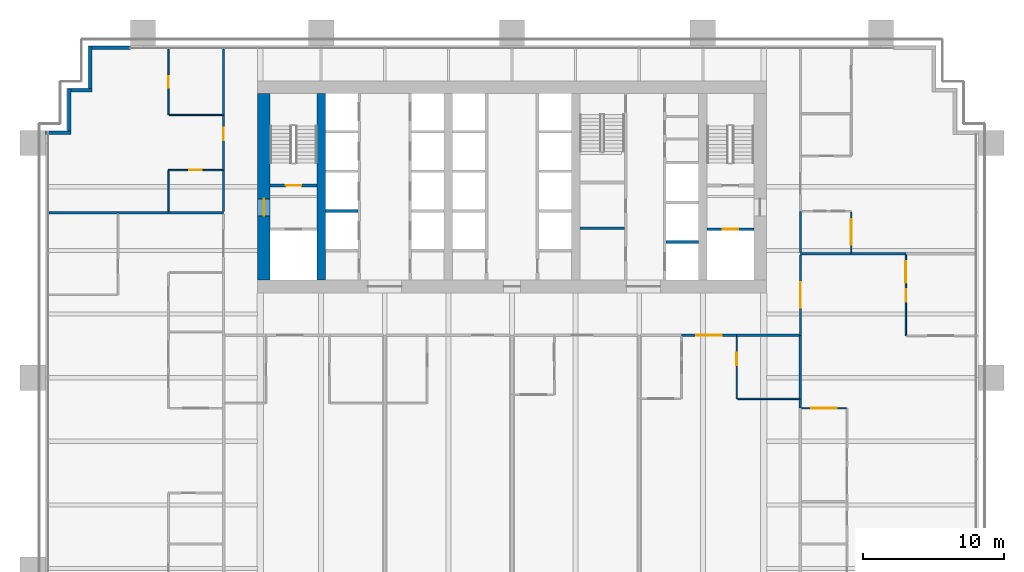
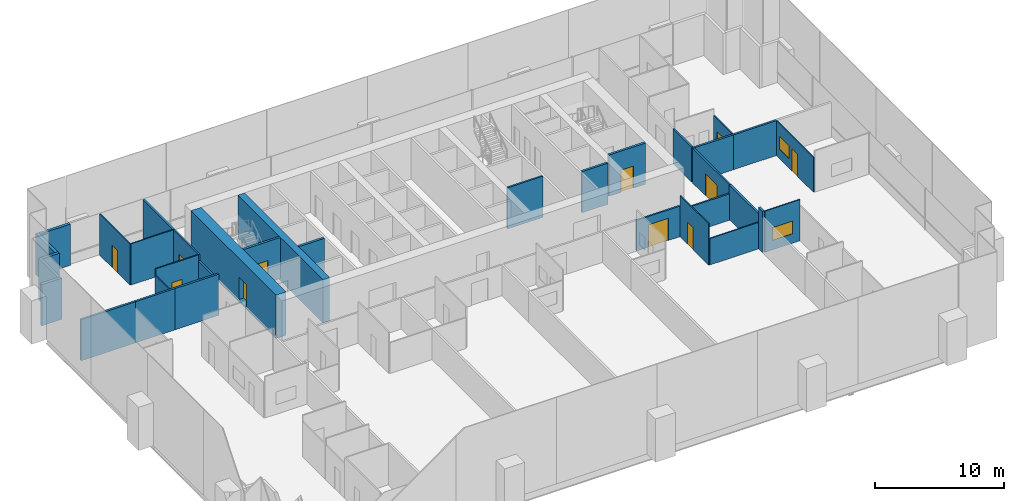
# One storey, part 13 of 18: 35 walls, 10 doors, 3 windows, 13 openings.
"""IFC4 building model written with IfcOpenShell, lengths in metres."""

from ifc_helpers import new_model, si_unit, direction, frame, frame_2d, origin, place, context, subcontext, project, spatial, rectangle, extrude, material, layer, layer_set, type_object, element, fill, save


model = new_model("IFC4")

# Units and contexts
model_context = context("Model", 3, precision=1e-05, world=origin(), true_north=direction((0.0, 1.0)))
body_context = subcontext(model_context, "Body", "Model", "MODEL_VIEW")
ifc_project = project(units=[si_unit("LENGTHUNIT", "METRE"), si_unit("AREAUNIT", "SQUARE_METRE"), si_unit("VOLUMEUNIT", "CUBIC_METRE"), si_unit("PLANEANGLEUNIT", "RADIAN"), si_unit("MASSUNIT", "GRAM", prefix="KILO")], contexts=[model_context])

# Site, building, storey
site_placement = place(None, origin())
site = spatial("IfcSite", under=ifc_project, at=site_placement, CompositionType="ELEMENT")
building_placement = place(site_placement, origin())
building = spatial("IfcBuilding", under=site, at=building_placement, Name="Rattan Terrace Tower", CompositionType="ELEMENT")
storey_placement = place(building_placement, frame((0.0, 0.0, 32.39990234375)))
storey = spatial("IfcBuildingStorey", under=building, at=storey_placement, Name="L06", CompositionType="ELEMENT", Elevation=32.39990234375)

# Wall
ifc_material_1 = material(Name="Gypsum board partition")
ifc_layer_1 = layer(ifc_material_1, 0.14990234375)
ifc_layer_set_1 = layer_set([ifc_layer_1], Name="Core partition 150")
wall_type_1 = type_object("IfcWallType", Name="Core partition 150", PredefinedType="PARTITIONING", material=ifc_layer_set_1)
wall_1_placement = place(storey_placement, frame((4.800048828125, -2.927978515625, 0.0), z_axis=(0.0, 0.0, 1.0), x_axis=(1.0, 0.0, 0.0)))
element("IfcWall", 1, at=wall_1_placement, inside=storey, type_object=wall_type_1, Name="Toilet wall", PredefinedType="PARTITIONING", context=body_context, shape_type="SweptSolid", body=[
    extrude(rectangle(XDim=3.14990234375, YDim=0.14990234375, at=frame_2d((1.574951171875, 0.0))), origin(), (0.0, 0.0, 1.0), 3.900146484375),
])

# Wall, opening, door
ifc_material_2 = material(Name="Gypsum board partition")
ifc_layer_2 = layer(ifc_material_2, 0.199951171875)
ifc_layer_set_2 = layer_set([ifc_layer_2], Name="Core partition 200")
wall_type_2 = type_object("IfcWallType", Name="Core partition 200", PredefinedType="PARTITIONING", material=ifc_layer_set_2)
wall_2_placement = place(storey_placement, frame((-17.10009765625, 0.10009765625, 0.0), z_axis=(0.0, 0.0, 1.0), x_axis=(1.0, 0.0, 0.0)))
wall_2 = element("IfcWall", 2, at=wall_2_placement, inside=storey, type_object=wall_type_2, Name="Stair enclosure wall", PredefinedType="PARTITIONING", context=body_context, shape_type="SweptSolid", body=[
    extrude(rectangle(XDim=3.300048828125, YDim=0.199951171875, at=frame_2d((1.64990234375, 0.0))), origin(), (0.0, 0.0, 1.0), 3.900146484375),
])
opening_1_placement = place(wall_2_placement, frame((1.10009765625, 0.0, 0.0)))
opening_1 = element("IfcOpeningElement", 3, at=opening_1_placement, cuts=wall_2, Name="Opening L06-D002", PredefinedType="OPENING", context=body_context, shape_type="SweptSolid", body=[
    extrude(rectangle(XDim=1.10009765625, YDim=2.10009765625, at=frame_2d((0.550048828125, 1.050048828125))), frame((0.0, 0.110595703125, 0.0), z_axis=(0.0, -1.0, 0.0), x_axis=(1.0, 0.0, 0.0)), (0.0, 0.0, 1.0), 0.220947265625),
])
ifc_material_3 = material(Name="Hollow-metal fire door leaf")
door_type_1 = type_object("IfcDoorType", Name="Core stair door 1100", OperationType="NOTDEFINED", PredefinedType="DOOR", material=ifc_material_3)
door_1_placement = place(opening_1_placement, origin())
door_1 = element("IfcDoor", 4, at=door_1_placement, inside=storey, type_object=door_type_1, Name="Door L06-D002", OperationType="SINGLE_SWING_LEFT", OverallHeight=2.10009765625, OverallWidth=1.10009765625, PredefinedType="DOOR", context=body_context, shape_type="SweptSolid", body=[
    extrude(rectangle(XDim=1.10009765625, YDim=2.10009765625, at=frame_2d((0.550048828125, 1.050048828125))), frame((0.0, 0.02490234375, 0.0), z_axis=(0.0, -1.0, 0.0), x_axis=(1.0, 0.0, 0.0)), (0.0, 0.0, 1.0), 0.050048828125),
])
fill(opening_1, door_1)

wall_3_placement = place(storey_placement, frame((13.800048828125, -3.0, 0.0), z_axis=(0.0, 0.0, 1.0), x_axis=(1.0, 0.0, 0.0)))
wall_3 = element("IfcWall", 5, at=wall_3_placement, inside=storey, type_object=wall_type_2, Name="Fire-fighting lobby wall", PredefinedType="PARTITIONING", context=body_context, shape_type="SweptSolid", body=[
    extrude(rectangle(XDim=3.300048828125, YDim=0.199951171875, at=frame_2d((1.64990234375, 0.0))), origin(), (0.0, 0.0, 1.0), 3.900146484375),
])
opening_2_placement = place(wall_3_placement, frame((1.10009765625, 0.0, 0.0)))
opening_2 = element("IfcOpeningElement", 6, at=opening_2_placement, cuts=wall_3, Name="Opening L06-LD-FF2", PredefinedType="OPENING", context=body_context, shape_type="SweptSolid", body=[
    extrude(rectangle(XDim=1.10009765625, YDim=2.10009765625, at=frame_2d((0.550048828125, 1.050048828125))), frame((0.0, 0.110595703125, 0.0), z_axis=(0.0, -1.0, 0.0), x_axis=(1.0, 0.0, 0.0)), (0.0, 0.0, 1.0), 0.220947265625),
])
ifc_material_4 = material(Name="Brushed stainless landing door panel")
door_type_2 = type_object("IfcDoorType", Name="Core lift landing door 1100", OperationType="DOUBLE_DOOR_SLIDING", PredefinedType="DOOR", material=ifc_material_4)
door_2_placement = place(opening_2_placement, origin())
door_2 = element("IfcDoor", 7, at=door_2_placement, inside=storey, type_object=door_type_2, Name="Door L06-LD-FF2", OperationType="DOUBLE_DOOR_SLIDING", OverallHeight=2.10009765625, OverallWidth=1.10009765625, PredefinedType="DOOR", context=body_context, shape_type="SweptSolid", body=[
    extrude(rectangle(XDim=1.10009765625, YDim=2.10009765625, at=frame_2d((0.550048828125, 1.050048828125))), frame((0.0, 0.02490234375, 0.0), z_axis=(0.0, -1.0, 0.0), x_axis=(1.0, 0.0, 0.0)), (0.0, 0.0, 1.0), 0.050048828125),
])
fill(opening_2, door_2)

ifc_material_5 = material(Name="Concrete C70/85", Category="concrete")
ifc_layer_3 = layer(ifc_material_5, 0.89990234375)
ifc_layer_set_3 = layer_set([ifc_layer_3], Name="Core ring wall 900 C70/85")
wall_type_3 = type_object("IfcWallType", Name="Core ring wall 900 C70/85", PredefinedType="SHEAR", material=ifc_layer_set_3)
wall_4_placement = place(storey_placement, frame((-17.550048828125, -6.60009765625, -0.199951171875), z_axis=(0.0, 0.0, 1.0), x_axis=(0.0, 1.0, 0.0)))
wall_4 = element("IfcWall", 8, at=wall_4_placement, inside=storey, type_object=wall_type_3, Name="Rear core wall west", PredefinedType="SHEAR", context=body_context, shape_type="SweptSolid", body=[
    extrude(rectangle(XDim=13.2001953125, YDim=0.89990234375, at=frame_2d((6.60009765625, 0.0))), origin(), (0.0, 0.0, 1.0), 4.10009765625),
])
opening_3_placement = place(wall_4_placement, frame((4.550048828125, 0.0, 0.199951171875)))
opening_3 = element("IfcOpeningElement", 9, at=opening_3_placement, cuts=wall_4, Name="Opening L06-D001", PredefinedType="OPENING", context=body_context, shape_type="SweptSolid", body=[
    extrude(rectangle(XDim=1.199951171875, YDim=2.10009765625, at=frame_2d((0.60009765625, 1.050048828125))), frame((0.0, 0.46044921875, 0.0), z_axis=(0.0, -1.0, 0.0), x_axis=(1.0, 0.0, 0.0)), (0.0, 0.0, 1.0), 0.9208984375),
])
ifc_material_6 = material(Name="Hollow-metal fire door leaf")
door_type_3 = type_object("IfcDoorType", Name="Core fire-fighting lobby door 1200", OperationType="NOTDEFINED", PredefinedType="DOOR", material=ifc_material_6)
door_3_placement = place(opening_3_placement, origin())
door_3 = element("IfcDoor", 10, at=door_3_placement, inside=storey, type_object=door_type_3, Name="Door L06-D001", OperationType="SINGLE_SWING_RIGHT", OverallHeight=2.10009765625, OverallWidth=1.199951171875, PredefinedType="DOOR", context=body_context, shape_type="SweptSolid", body=[
    extrude(rectangle(XDim=1.199951171875, YDim=2.10009765625, at=frame_2d((0.60009765625, 1.050048828125))), frame((0.0, 0.02490234375, 0.0), z_axis=(0.0, -1.0, 0.0), x_axis=(1.0, 0.0, 0.0)), (0.0, 0.0, 1.0), 0.050048828125),
])
fill(opening_3, door_3)

# Walls
ifc_material_7 = material(Name="Concrete C70/85", Category="concrete")
ifc_layer_4 = layer(ifc_material_7, 0.60009765625)
ifc_layer_set_4 = layer_set([ifc_layer_4], Name="Core spine wall 600 C70/85")
wall_type_4 = type_object("IfcWallType", Name="Core spine wall 600 C70/85", PredefinedType="SHEAR", material=ifc_layer_set_4)
wall_5_placement = place(storey_placement, frame((-13.5, -6.60009765625, -0.199951171875), z_axis=(0.0, 0.0, 1.0), x_axis=(0.0, 1.0, 0.0)))
element("IfcWall", 11, at=wall_5_placement, inside=storey, type_object=wall_type_4, Name="Core spine wall 1", PredefinedType="SHEAR", context=body_context, shape_type="SweptSolid", body=[
    extrude(rectangle(XDim=13.2001953125, YDim=0.60009765625, at=frame_2d((6.60009765625, 0.0))), origin(), (0.0, 0.0, 1.0), 4.10009765625),
])
ifc_material_8 = material(Name="Insulated aluminium-clad stud wall", Category="aluminium")
ifc_layer_5 = layer(ifc_material_8, 0.25)
ifc_layer_set_5 = layer_set([ifc_layer_5], Name="Facade Riser Wall 250")
wall_type_5 = type_object("IfcWallType", Name="Facade Riser Wall 250", PredefinedType="SOLIDWALL", material=ifc_layer_set_5)
wall_6_placement = place(storey_placement, frame((-27.0, 9.830078125, 0.0), z_axis=(0.0, 0.0, 1.0), x_axis=(-1.0, 0.0, 0.0)))
element("IfcWall", 12, at=wall_6_placement, inside=storey, type_object=wall_type_5, Name="Riser wall L06-11", PredefinedType="SOLIDWALL", context=body_context, shape_type="SweptSolid", body=[
    extrude(rectangle(XDim=2.705078125, YDim=0.25, at=frame_2d((1.3525390625, 0.0))), origin(), (0.0, 0.0, 1.0), 3.900146484375),
])
wall_7_placement = place(storey_placement, frame((-29.830078125, 9.955078125, 0.0), z_axis=(0.0, 0.0, 1.0), x_axis=(0.0, -1.0, 0.0)))
element("IfcWall", 13, at=wall_7_placement, inside=storey, type_object=wall_type_5, Name="Riser wall L06-12", PredefinedType="SOLIDWALL", context=body_context, shape_type="SweptSolid", body=[
    extrude(rectangle(XDim=3.0, YDim=0.25, at=frame_2d((1.5, 0.0))), origin(), (0.0, 0.0, 1.0), 3.900146484375),
])
wall_8_placement = place(storey_placement, frame((-29.705078125, 6.830078125, 0.0), z_axis=(0.0, 0.0, 1.0), x_axis=(-1.0, 0.0, 0.0)))
element("IfcWall", 14, at=wall_8_placement, inside=storey, type_object=wall_type_5, Name="Riser wall L06-13", PredefinedType="SOLIDWALL", context=body_context, shape_type="SweptSolid", body=[
    extrude(rectangle(XDim=1.5, YDim=0.25, at=frame_2d((0.75, 0.0))), origin(), (0.0, 0.0, 1.0), 3.900146484375),
])
wall_9_placement = place(storey_placement, frame((-31.330078125, 6.955078125, 0.0), z_axis=(0.0, 0.0, 1.0), x_axis=(0.0, -1.0, 0.0)))
element("IfcWall", 15, at=wall_9_placement, inside=storey, type_object=wall_type_5, Name="Riser wall L06-14", PredefinedType="SOLIDWALL", context=body_context, shape_type="SweptSolid", body=[
    extrude(rectangle(XDim=3.0, YDim=0.25, at=frame_2d((1.5, 0.0))), origin(), (0.0, 0.0, 1.0), 3.900146484375),
])
wall_10_placement = place(storey_placement, frame((-31.205078125, 3.830078125, 0.0), z_axis=(0.0, 0.0, 1.0), x_axis=(-1.0, 0.0, 0.0)))
element("IfcWall", 16, at=wall_10_placement, inside=storey, type_object=wall_type_5, Name="Riser wall L06-15", PredefinedType="SOLIDWALL", context=body_context, shape_type="SweptSolid", body=[
    extrude(rectangle(XDim=1.7998046875, YDim=0.25, at=frame_2d((0.89990234375, 0.0))), origin(), (0.0, 0.0, 1.0), 3.900146484375),
])
ifc_material_9 = material(Name="Double steel stud acoustic partition, gypsum board, mineral wool, fire rated", Category="steel")
ifc_layer_6 = layer(ifc_material_9, 0.179931640625)
ifc_layer_set_6 = layer_set([ifc_layer_6], Name="Floors Acoustic Party Wall 180")
wall_type_6 = type_object("IfcWallType", Name="Floors Acoustic Party Wall 180", PredefinedType="PARTITIONING", material=ifc_layer_set_6)
wall_11_placement = place(storey_placement, frame((-27.860107421875, -1.818115234375, 0.0), z_axis=(0.0, 0.0, 1.0), x_axis=(1.0, 0.0, 0.0)))
element("IfcWall", 17, at=wall_11_placement, inside=storey, type_object=wall_type_6, Name="pt-L06-032", PredefinedType="PARTITIONING", context=body_context, shape_type="SweptSolid", body=[
    extrude(rectangle(XDim=3.5400390625, YDim=0.179931640625, at=frame_2d((1.77001953125, 0.0))), origin(), (0.0, 0.0, 1.0), 3.900146484375),
])
wall_12_placement = place(storey_placement, frame((-24.320068359375, -1.818115234375, 0.0), z_axis=(0.0, 0.0, 1.0), x_axis=(1.0, 0.0, 0.0)))
element("IfcWall", 18, at=wall_12_placement, inside=storey, type_object=wall_type_6, Name="pt-L06-033", PredefinedType="PARTITIONING", context=body_context, shape_type="SweptSolid", body=[
    extrude(rectangle(XDim=3.920166015625, YDim=0.179931640625, at=frame_2d((1.9599609375, 0.0))), origin(), (0.0, 0.0, 1.0), 3.900146484375),
])
wall_13_placement = place(storey_placement, frame((-32.739990234375, -1.818115234375, 0.0), z_axis=(0.0, 0.0, 1.0), x_axis=(1.0, 0.0, 0.0)))
element("IfcWall", 19, at=wall_13_placement, inside=storey, type_object=wall_type_6, Name="pt-L06-035", PredefinedType="PARTITIONING", context=body_context, shape_type="SweptSolid", body=[
    extrude(rectangle(XDim=4.8798828125, YDim=0.179931640625, at=frame_2d((2.43994140625, 0.0))), origin(), (0.0, 0.0, 1.0), 3.900146484375),
])
wall_14_placement = place(storey_placement, frame((20.39990234375, -15.0, 0.0), z_axis=(0.0, 0.0, 1.0), x_axis=(0.0, -1.0, 0.0)))
element("IfcWall", 20, at=wall_14_placement, inside=storey, type_object=wall_type_6, Name="pt-L06-066", PredefinedType="PARTITIONING", context=body_context, shape_type="SweptSolid", body=[
    extrude(rectangle(XDim=0.639892578125, YDim=0.179931640625, at=frame_2d((0.31982421875, 0.0))), origin(), (0.0, 0.0, 1.0), 3.900146484375),
])
wall_15_placement = place(storey_placement, frame((20.39990234375, -10.5, 0.0), z_axis=(0.0, 0.0, 1.0), x_axis=(0.0, -1.0, 0.0)))
element("IfcWall", 21, at=wall_15_placement, inside=storey, type_object=wall_type_6, Name="pt-L06-071", PredefinedType="PARTITIONING", context=body_context, shape_type="SweptSolid", body=[
    extrude(rectangle(XDim=4.5, YDim=0.179931640625, at=frame_2d((2.25, 0.0))), origin(), (0.0, 0.0, 1.0), 3.300048828125),
])
wall_16_placement = place(storey_placement, frame((23.97998046875, -4.72705078125, 0.0), z_axis=(0.0, 0.0, 1.0), x_axis=(1.0, 0.0, 0.0)))
element("IfcWall", 22, at=wall_16_placement, inside=storey, type_object=wall_type_6, Name="pt-L06-079", PredefinedType="PARTITIONING", context=body_context, shape_type="SweptSolid", body=[
    extrude(rectangle(XDim=3.880126953125, YDim=0.179931640625, at=frame_2d((1.93994140625, 0.0))), origin(), (0.0, 0.0, 1.0), 3.300048828125),
])
wall_17_placement = place(storey_placement, frame((20.39990234375, -4.72705078125, 0.0), z_axis=(0.0, 0.0, 1.0), x_axis=(1.0, 0.0, 0.0)))
element("IfcWall", 23, at=wall_17_placement, inside=storey, type_object=wall_type_6, Name="pt-L06-080", PredefinedType="PARTITIONING", context=body_context, shape_type="SweptSolid", body=[
    extrude(rectangle(XDim=3.580078125, YDim=0.179931640625, at=frame_2d((1.7900390625, 0.0))), origin(), (0.0, 0.0, 1.0), 3.300048828125),
])
ifc_material_10 = material(Name="Gypsum board partition on steel studs", Category="steel")
ifc_layer_7 = layer(ifc_material_10, 0.10009765625)
ifc_layer_set_7 = layer_set([ifc_layer_7], Name="Floors Partition 100")
wall_type_7 = type_object("IfcWallType", Name="Floors Partition 100", PredefinedType="PARTITIONING", material=ifc_layer_set_7)
wall_18_placement = place(storey_placement, frame((-24.300048828125, 1.132080078125, 0.0), z_axis=(0.0, 0.0, 1.0), x_axis=(0.0, -1.0, 0.0)))
element("IfcWall", 24, at=wall_18_placement, inside=storey, type_object=wall_type_7, Name="pt-L06-044", PredefinedType="PARTITIONING", context=body_context, shape_type="SweptSolid", body=[
    extrude(rectangle(XDim=2.860107421875, YDim=0.10009765625, at=frame_2d((1.43017578125, 0.0))), origin(), (0.0, 0.0, 1.0), 3.300048828125),
])

# Wall, opening, door
wall_19_placement = place(storey_placement, frame((-20.47509765625, 1.181884765625, 0.0), z_axis=(0.0, 0.0, 1.0), x_axis=(-1.0, 0.0, 0.0)))
wall_19 = element("IfcWall", 25, at=wall_19_placement, inside=storey, type_object=wall_type_7, Name="pt-L06-045", PredefinedType="PARTITIONING", context=body_context, shape_type="SweptSolid", body=[
    extrude(rectangle(XDim=3.824951171875, YDim=0.10009765625, at=frame_2d((1.91259765625, 0.0))), origin(), (0.0, 0.0, 1.0), 3.900146484375),
])
opening_4_placement = place(wall_19_placement, frame((1.4619140625, 0.0, 0.0)))
opening_4 = element("IfcOpeningElement", 26, at=opening_4_placement, cuts=wall_19, Name="Opening L06-D108", PredefinedType="OPENING", context=body_context, shape_type="SweptSolid", body=[
    extrude(rectangle(XDim=0.89990234375, YDim=2.10009765625, at=frame_2d((0.449951171875, 1.050048828125))), frame((0.0, 0.060546875, 0.0), z_axis=(0.0, -1.0, 0.0), x_axis=(1.0, 0.0, 0.0)), (0.0, 0.0, 1.0), 0.12109375),
])
ifc_material_11 = material(Name="Solid core timber door, painted", Category="wood")
door_type_4 = type_object("IfcDoorType", Name="Floors Door 900x2100", OperationType="NOTDEFINED", PredefinedType="DOOR", material=ifc_material_11)
door_4_placement = place(opening_4_placement, origin())
door_4 = element("IfcDoor", 27, at=door_4_placement, inside=storey, type_object=door_type_4, Name="d-L06-108", OperationType="SINGLE_SWING_LEFT", OverallHeight=2.10009765625, OverallWidth=0.89990234375, PredefinedType="DOOR", context=body_context, shape_type="SweptSolid", body=[
    extrude(rectangle(XDim=0.89990234375, YDim=2.10009765625, at=frame_2d((0.449951171875, 1.050048828125))), frame((0.0, 0.02490234375, 0.0), z_axis=(0.0, -1.0, 0.0), x_axis=(1.0, 0.0, 0.0)), (0.0, 0.0, 1.0), 0.050048828125),
])
fill(opening_4, door_4)

wall_20_placement = place(storey_placement, frame((-24.300048828125, 9.739990234375, 0.0), z_axis=(0.0, 0.0, 1.0), x_axis=(0.0, -1.0, 0.0)))
wall_20 = element("IfcWall", 28, at=wall_20_placement, inside=storey, type_object=wall_type_7, Name="pt-L06-046", PredefinedType="PARTITIONING", context=body_context, shape_type="SweptSolid", body=[
    extrude(rectangle(XDim=4.657958984375, YDim=0.10009765625, at=frame_2d((2.3291015625, 0.0))), origin(), (0.0, 0.0, 1.0), 3.900146484375),
])
opening_5_placement = place(wall_20_placement, frame((1.928955078125, 0.0, 0.0)))
opening_5 = element("IfcOpeningElement", 29, at=opening_5_placement, cuts=wall_20, Name="Opening L06-D109", PredefinedType="OPENING", context=body_context, shape_type="SweptSolid", body=[
    extrude(rectangle(XDim=0.800048828125, YDim=2.10009765625, at=frame_2d((0.39990234375, 1.050048828125))), frame((0.0, 0.060546875, 0.0), z_axis=(0.0, -1.0, 0.0), x_axis=(1.0, 0.0, 0.0)), (0.0, 0.0, 1.0), 0.12109375),
])
ifc_material_12 = material(Name="Solid core timber door, painted", Category="wood")
door_type_5 = type_object("IfcDoorType", Name="Floors Store Door 800x2100", OperationType="NOTDEFINED", PredefinedType="DOOR", material=ifc_material_12)
door_5_placement = place(opening_5_placement, origin())
door_5 = element("IfcDoor", 30, at=door_5_placement, inside=storey, type_object=door_type_5, Name="d-L06-109", OperationType="SINGLE_SWING_RIGHT", OverallHeight=2.10009765625, OverallWidth=0.800048828125, PredefinedType="DOOR", context=body_context, shape_type="SweptSolid", body=[
    extrude(rectangle(XDim=0.800048828125, YDim=2.10009765625, at=frame_2d((0.39990234375, 1.050048828125))), frame((0.0, 0.02490234375, 0.0), z_axis=(0.0, -1.0, 0.0), x_axis=(1.0, 0.0, 0.0)), (0.0, 0.0, 1.0), 0.050048828125),
])
fill(opening_5, door_5)

# Wall
wall_21_placement = place(storey_placement, frame((-24.25, 5.08203125, 0.0), z_axis=(0.0, 0.0, 1.0), x_axis=(1.0, 0.0, 0.0)))
element("IfcWall", 31, at=wall_21_placement, inside=storey, type_object=wall_type_7, Name="pt-L06-047", PredefinedType="PARTITIONING", context=body_context, shape_type="SweptSolid", body=[
    extrude(rectangle(XDim=3.77490234375, YDim=0.10009765625, at=frame_2d((1.887451171875, 0.0))), origin(), (0.0, 0.0, 1.0), 3.900146484375),
])

# Wall, opening, door
wall_22_placement = place(storey_placement, frame((15.89990234375, -10.574951171875, 0.0), z_axis=(0.0, 0.0, 1.0), x_axis=(0.0, -1.0, 0.0)))
wall_22 = element("IfcWall", 32, at=wall_22_placement, inside=storey, type_object=wall_type_7, Name="pt-L06-064", PredefinedType="PARTITIONING", context=body_context, shape_type="SweptSolid", body=[
    extrude(rectangle(XDim=4.425048828125, YDim=0.10009765625, at=frame_2d((2.21240234375, 0.0))), origin(), (0.0, 0.0, 1.0), 3.900146484375),
])
opening_6_placement = place(wall_22_placement, frame((1.157958984375, 0.0, 0.0)))
opening_6 = element("IfcOpeningElement", 33, at=opening_6_placement, cuts=wall_22, Name="Opening L06-D119", PredefinedType="OPENING", context=body_context, shape_type="SweptSolid", body=[
    extrude(rectangle(XDim=0.89990234375, YDim=2.10009765625, at=frame_2d((0.449951171875, 1.050048828125))), frame((0.0, 0.060546875, 0.0), z_axis=(0.0, -1.0, 0.0), x_axis=(1.0, 0.0, 0.0)), (0.0, 0.0, 1.0), 0.12109375),
])
door_6_placement = place(opening_6_placement, origin())
door_6 = element("IfcDoor", 34, at=door_6_placement, inside=storey, type_object=door_type_4, Name="d-L06-119", OperationType="SINGLE_SWING_LEFT", OverallHeight=2.10009765625, OverallWidth=0.89990234375, PredefinedType="DOOR", context=body_context, shape_type="SweptSolid", body=[
    extrude(rectangle(XDim=0.89990234375, YDim=2.10009765625, at=frame_2d((0.449951171875, 1.050048828125))), frame((0.0, 0.02490234375, 0.0), z_axis=(0.0, -1.0, 0.0), x_axis=(1.0, 0.0, 0.0)), (0.0, 0.0, 1.0), 0.050048828125),
])
fill(opening_6, door_6)

# Wall
wall_23_placement = place(storey_placement, frame((15.949951171875, -15.0, 0.0), z_axis=(0.0, 0.0, 1.0), x_axis=(1.0, 0.0, 0.0)))
element("IfcWall", 35, at=wall_23_placement, inside=storey, type_object=wall_type_7, Name="pt-L06-065", PredefinedType="PARTITIONING", context=body_context, shape_type="SweptSolid", body=[
    extrude(rectangle(XDim=4.360107421875, YDim=0.10009765625, at=frame_2d((2.18017578125, 0.0))), origin(), (0.0, 0.0, 1.0), 2.5),
])

# Wall, openings, door, window
wall_24_placement = place(storey_placement, frame((27.860107421875, -4.81689453125, 0.0), z_axis=(0.0, 0.0, 1.0), x_axis=(0.0, -1.0, 0.0)))
wall_24 = element("IfcWall", 36, at=wall_24_placement, inside=storey, type_object=wall_type_7, Name="pt-L06-072", PredefinedType="PARTITIONING", context=body_context, shape_type="SweptSolid", body=[
    extrude(rectangle(XDim=5.72802734375, YDim=0.10009765625, at=frame_2d((2.864013671875, 0.0))), origin(), (0.0, 0.0, 1.0), 3.300048828125),
])
opening_7_placement = place(wall_24_placement, frame((2.4140625, 0.0, 0.0)))
opening_7 = element("IfcOpeningElement", 37, at=opening_7_placement, cuts=wall_24, Name="Opening L06-D121", PredefinedType="OPENING", context=body_context, shape_type="SweptSolid", body=[
    extrude(rectangle(XDim=0.89990234375, YDim=2.10009765625, at=frame_2d((0.449951171875, 1.050048828125))), frame((0.0, 0.060546875, 0.0), z_axis=(0.0, -1.0, 0.0), x_axis=(1.0, 0.0, 0.0)), (0.0, 0.0, 1.0), 0.12109375),
])
opening_8_placement = place(wall_24_placement, frame((0.45703125, 0.0, 0.89990234375)))
opening_8 = element("IfcOpeningElement", 38, at=opening_8_placement, cuts=wall_24, Name="Opening L06-W106", PredefinedType="OPENING", context=body_context, shape_type="SweptSolid", body=[
    extrude(rectangle(XDim=1.5, YDim=1.199951171875, at=frame_2d((0.75, 0.60009765625))), frame((0.0, 0.060546875, 0.0), z_axis=(0.0, -1.0, 0.0), x_axis=(1.0, 0.0, 0.0)), (0.0, 0.0, 1.0), 0.12109375),
])
door_7_placement = place(opening_7_placement, origin())
door_7 = element("IfcDoor", 39, at=door_7_placement, inside=storey, type_object=door_type_4, Name="d-L06-121", OperationType="SINGLE_SWING_RIGHT", OverallHeight=2.10009765625, OverallWidth=0.89990234375, PredefinedType="DOOR", context=body_context, shape_type="SweptSolid", body=[
    extrude(rectangle(XDim=0.89990234375, YDim=2.10009765625, at=frame_2d((0.449951171875, 1.050048828125))), frame((0.0, 0.02490234375, 0.0), z_axis=(0.0, -1.0, 0.0), x_axis=(1.0, 0.0, 0.0)), (0.0, 0.0, 1.0), 0.050048828125),
])
fill(opening_7, door_7)
ifc_material_13 = material(Name="Glass, clear, fixed in aluminium frame", Category="aluminium")
window_type_1 = type_object("IfcWindowType", Name="Interior Vision Window 1500x1200", PartitioningType="SINGLE_PANEL", PredefinedType="WINDOW", material=ifc_material_13)
window_1_placement = place(opening_8_placement, origin())
window_1 = element("IfcWindow", 40, at=window_1_placement, inside=storey, type_object=window_type_1, Name="w-L06-106", OverallHeight=1.199951171875, OverallWidth=1.5, PartitioningType="SINGLE_PANEL", PredefinedType="WINDOW", context=body_context, shape_type="SweptSolid", body=[
    extrude(rectangle(XDim=1.5, YDim=1.199951171875, at=frame_2d((0.75, 0.60009765625))), frame((0.0, 0.030029296875, 0.0), z_axis=(0.0, -1.0, 0.0), x_axis=(1.0, 0.0, 0.0)), (0.0, 0.0, 1.0), 0.06005859375),
])
fill(opening_8, window_1)

# Wall, opening, window
wall_25_placement = place(storey_placement, frame((23.64990234375, -15.659912109375, 0.0), z_axis=(0.0, 0.0, 1.0), x_axis=(-1.0, 0.0, 0.0)))
wall_25 = element("IfcWall", 41, at=wall_25_placement, inside=storey, type_object=wall_type_7, Name="pt-L06-077", PredefinedType="PARTITIONING", context=body_context, shape_type="SweptSolid", body=[
    extrude(rectangle(XDim=3.159912109375, YDim=0.10009765625, at=frame_2d((1.580078125, 0.0))), origin(), (0.0, 0.0, 1.0), 3.900146484375),
])
opening_9_placement = place(wall_25_placement, frame((0.679931640625, 0.0, 0.89990234375)))
opening_9 = element("IfcOpeningElement", 42, at=opening_9_placement, cuts=wall_25, Name="Opening L06-W108", PredefinedType="OPENING", context=body_context, shape_type="SweptSolid", body=[
    extrude(rectangle(XDim=1.800048828125, YDim=1.199951171875, at=frame_2d((0.89990234375, 0.60009765625))), frame((0.0, 0.060546875, 0.0), z_axis=(0.0, -1.0, 0.0), x_axis=(1.0, 0.0, 0.0)), (0.0, 0.0, 1.0), 0.12109375),
])
ifc_material_14 = material(Name="Glass, clear, fixed in aluminium frame", Category="aluminium")
window_type_2 = type_object("IfcWindowType", Name="Interior Vision Window 1800x1200", PartitioningType="SINGLE_PANEL", PredefinedType="WINDOW", material=ifc_material_14)
window_2_placement = place(opening_9_placement, origin())
window_2 = element("IfcWindow", 43, at=window_2_placement, inside=storey, type_object=window_type_2, Name="w-L06-108", OverallHeight=1.199951171875, OverallWidth=1.800048828125, PartitioningType="SINGLE_PANEL", PredefinedType="WINDOW", context=body_context, shape_type="SweptSolid", body=[
    extrude(rectangle(XDim=1.800048828125, YDim=1.199951171875, at=frame_2d((0.89990234375, 0.60009765625))), frame((0.0, 0.030029296875, 0.0), z_axis=(0.0, -1.0, 0.0), x_axis=(1.0, 0.0, 0.0)), (0.0, 0.0, 1.0), 0.06005859375),
])
fill(opening_9, window_2)

wall_26_placement = place(storey_placement, frame((24.0, -4.636962890625, 0.0), z_axis=(0.0, 0.0, 1.0), x_axis=(0.0, 1.0, 0.0)))
wall_26 = element("IfcWall", 44, at=wall_26_placement, inside=storey, type_object=wall_type_7, Name="pt-L06-086", PredefinedType="PARTITIONING", context=body_context, shape_type="SweptSolid", body=[
    extrude(rectangle(XDim=2.85986328125, YDim=0.10009765625, at=frame_2d((1.429931640625, 0.0))), origin(), (0.0, 0.0, 1.0), 3.300048828125),
])
opening_10_placement = place(wall_26_placement, frame((0.530029296875, 0.0, 0.89990234375)))
opening_10 = element("IfcOpeningElement", 45, at=opening_10_placement, cuts=wall_26, Name="Opening L06-W111", PredefinedType="OPENING", context=body_context, shape_type="SweptSolid", body=[
    extrude(rectangle(XDim=1.800048828125, YDim=1.199951171875, at=frame_2d((0.89990234375, 0.60009765625))), frame((0.0, 0.060546875, 0.0), z_axis=(0.0, -1.0, 0.0), x_axis=(1.0, 0.0, 0.0)), (0.0, 0.0, 1.0), 0.12109375),
])
window_3_placement = place(opening_10_placement, origin())
window_3 = element("IfcWindow", 46, at=window_3_placement, inside=storey, type_object=window_type_2, Name="w-L06-111", OverallHeight=1.199951171875, OverallWidth=1.800048828125, PartitioningType="SINGLE_PANEL", PredefinedType="WINDOW", context=body_context, shape_type="SweptSolid", body=[
    extrude(rectangle(XDim=1.800048828125, YDim=1.199951171875, at=frame_2d((0.89990234375, 0.60009765625))), frame((0.0, 0.030029296875, 0.0), z_axis=(0.0, -1.0, 0.0), x_axis=(1.0, 0.0, 0.0)), (0.0, 0.0, 1.0), 0.06005859375),
])
fill(opening_10, window_3)

# Wall, opening, door
ifc_material_15 = material(Name="Gypsum board partition on steel studs, fire rated", Category="steel")
ifc_layer_8 = layer(ifc_material_15, 0.14990234375)
ifc_layer_set_8 = layer_set([ifc_layer_8], Name="Floors Tenancy Wall 150")
wall_type_8 = type_object("IfcWallType", Name="Floors Tenancy Wall 150", PredefinedType="PARTITIONING", material=ifc_layer_set_8)
wall_27_placement = place(storey_placement, frame((-20.39990234375, 1.162109375, 0.0), z_axis=(0.0, 0.0, 1.0), x_axis=(0.0, 1.0, 0.0)))
wall_27 = element("IfcWall", 47, at=wall_27_placement, inside=storey, type_object=wall_type_8, Name="pt-L06-004", PredefinedType="PARTITIONING", context=body_context, shape_type="SweptSolid", body=[
    extrude(rectangle(XDim=3.89990234375, YDim=0.14990234375, at=frame_2d((1.949951171875, 0.0))), origin(), (0.0, 0.0, 1.0), 3.900146484375),
])
opening_11_placement = place(wall_27_placement, frame((2.125, 0.0, 0.0)))
opening_11 = element("IfcOpeningElement", 48, at=opening_11_placement, cuts=wall_27, Name="Opening L06-D107", PredefinedType="OPENING", context=body_context, shape_type="SweptSolid", body=[
    extrude(rectangle(XDim=0.89990234375, YDim=2.10009765625, at=frame_2d((0.449951171875, 1.050048828125))), frame((0.0, 0.08544921875, 0.0), z_axis=(0.0, -1.0, 0.0), x_axis=(1.0, 0.0, 0.0)), (0.0, 0.0, 1.0), 0.1708984375),
])
ifc_material_16 = material(Name="Steel fire door set", Category="steel")
door_type_6 = type_object("IfcDoorType", Name="Floors Fire Door FD30S 900x2100", OperationType="NOTDEFINED", PredefinedType="DOOR", material=ifc_material_16)
door_8_placement = place(opening_11_placement, origin())
door_8 = element("IfcDoor", 49, at=door_8_placement, inside=storey, type_object=door_type_6, Name="d-L06-107", OperationType="SINGLE_SWING_RIGHT", OverallHeight=2.10009765625, OverallWidth=0.89990234375, PredefinedType="DOOR", context=body_context, shape_type="SweptSolid", body=[
    extrude(rectangle(XDim=0.89990234375, YDim=2.10009765625, at=frame_2d((0.449951171875, 1.050048828125))), frame((0.0, 0.02490234375, 0.0), z_axis=(0.0, -1.0, 0.0), x_axis=(1.0, 0.0, 0.0)), (0.0, 0.0, 1.0), 0.050048828125),
])
fill(opening_11, door_8)

# Walls
wall_28_placement = place(storey_placement, frame((-20.39990234375, -1.72802734375, 0.0), z_axis=(0.0, 0.0, 1.0), x_axis=(0.0, 1.0, 0.0)))
element("IfcWall", 50, at=wall_28_placement, inside=storey, type_object=wall_type_8, Name="pt-L06-005", PredefinedType="PARTITIONING", context=body_context, shape_type="SweptSolid", body=[
    extrude(rectangle(XDim=2.89013671875, YDim=0.14990234375, at=frame_2d((1.445068359375, 0.0))), origin(), (0.0, 0.0, 1.0), 3.300048828125),
])
wall_29_placement = place(storey_placement, frame((-20.39990234375, 5.06201171875, 0.0), z_axis=(0.0, 0.0, 1.0), x_axis=(0.0, 1.0, 0.0)))
element("IfcWall", 51, at=wall_29_placement, inside=storey, type_object=wall_type_8, Name="pt-L06-006", PredefinedType="PARTITIONING", context=body_context, shape_type="SweptSolid", body=[
    extrude(rectangle(XDim=4.677978515625, YDim=0.14990234375, at=frame_2d((2.3388671875, 0.0))), origin(), (0.0, 0.0, 1.0), 3.900146484375),
])

# Wall, opening, door
wall_30_placement = place(storey_placement, frame((15.8798828125, -10.5, 0.0), z_axis=(0.0, 0.0, 1.0), x_axis=(-1.0, 0.0, 0.0)))
wall_30 = element("IfcWall", 52, at=wall_30_placement, inside=storey, type_object=wall_type_8, Name="pt-L06-014", PredefinedType="PARTITIONING", context=body_context, shape_type="SweptSolid", body=[
    extrude(rectangle(XDim=3.89990234375, YDim=0.14990234375, at=frame_2d((1.949951171875, 0.0))), origin(), (0.0, 0.0, 1.0), 2.900146484375),
])
opening_12_placement = place(wall_30_placement, frame((1.050048828125, 0.0, 0.0)))
opening_12 = element("IfcOpeningElement", 53, at=opening_12_placement, cuts=wall_30, Name="Opening L06-D117", PredefinedType="OPENING", context=body_context, shape_type="SweptSolid", body=[
    extrude(rectangle(XDim=1.800048828125, YDim=2.10009765625, at=frame_2d((0.89990234375, 1.050048828125))), frame((0.0, 0.08544921875, 0.0), z_axis=(0.0, -1.0, 0.0), x_axis=(1.0, 0.0, 0.0)), (0.0, 0.0, 1.0), 0.1708984375),
])
ifc_material_17 = material(Name="Steel fire door set", Category="steel")
door_type_7 = type_object("IfcDoorType", Name="Floors Fire Door Pair FD30S 1800x2100", OperationType="NOTDEFINED", PredefinedType="DOOR", material=ifc_material_17)
door_9_placement = place(opening_12_placement, origin())
door_9 = element("IfcDoor", 54, at=door_9_placement, inside=storey, type_object=door_type_7, Name="d-L06-117", OperationType="DOUBLE_DOOR_SINGLE_SWING", OverallHeight=2.10009765625, OverallWidth=1.800048828125, PredefinedType="DOOR", context=body_context, shape_type="SweptSolid", body=[
    extrude(rectangle(XDim=1.800048828125, YDim=2.10009765625, at=frame_2d((0.89990234375, 1.050048828125))), frame((0.0, 0.02490234375, 0.0), z_axis=(0.0, -1.0, 0.0), x_axis=(1.0, 0.0, 0.0)), (0.0, 0.0, 1.0), 0.050048828125),
])
fill(opening_12, door_9)

# Wall
wall_31_placement = place(storey_placement, frame((20.324951171875, -10.5, 0.0), z_axis=(0.0, 0.0, 1.0), x_axis=(-1.0, 0.0, 0.0)))
element("IfcWall", 55, at=wall_31_placement, inside=storey, type_object=wall_type_8, Name="pt-L06-016", PredefinedType="PARTITIONING", context=body_context, shape_type="SweptSolid", body=[
    extrude(rectangle(XDim=4.445068359375, YDim=0.14990234375, at=frame_2d((2.22265625, 0.0))), origin(), (0.0, 0.0, 1.0), 2.5),
])

# Wall, opening, door
wall_32_placement = place(storey_placement, frame((20.39990234375, -4.81689453125, 0.0), z_axis=(0.0, 0.0, 1.0), x_axis=(0.0, -1.0, 0.0)))
wall_32 = element("IfcWall", 56, at=wall_32_placement, inside=storey, type_object=wall_type_8, Name="pt-L06-017", PredefinedType="PARTITIONING", context=body_context, shape_type="SweptSolid", body=[
    extrude(rectangle(XDim=5.68310546875, YDim=0.14990234375, at=frame_2d((2.841552734375, 0.0))), origin(), (0.0, 0.0, 1.0), 3.300048828125),
])
opening_13_placement = place(wall_32_placement, frame((1.94189453125, 0.0, 0.0)))
opening_13 = element("IfcOpeningElement", 57, at=opening_13_placement, cuts=wall_32, Name="Opening L06-D120", PredefinedType="OPENING", context=body_context, shape_type="SweptSolid", body=[
    extrude(rectangle(XDim=1.800048828125, YDim=2.10009765625, at=frame_2d((0.89990234375, 1.050048828125))), frame((0.0, 0.08544921875, 0.0), z_axis=(0.0, -1.0, 0.0), x_axis=(1.0, 0.0, 0.0)), (0.0, 0.0, 1.0), 0.1708984375),
])
door_10_placement = place(opening_13_placement, origin())
door_10 = element("IfcDoor", 58, at=door_10_placement, inside=storey, type_object=door_type_7, Name="d-L06-120", OperationType="DOUBLE_DOOR_SINGLE_SWING", OverallHeight=2.10009765625, OverallWidth=1.800048828125, PredefinedType="DOOR", context=body_context, shape_type="SweptSolid", body=[
    extrude(rectangle(XDim=1.800048828125, YDim=2.10009765625, at=frame_2d((0.89990234375, 1.050048828125))), frame((0.0, 0.02490234375, 0.0), z_axis=(0.0, -1.0, 0.0), x_axis=(1.0, 0.0, 0.0)), (0.0, 0.0, 1.0), 0.050048828125),
])
fill(opening_13, door_10)

# Walls
wall_33_placement = place(storey_placement, frame((20.39990234375, -1.7470703125, 0.0), z_axis=(0.0, 0.0, 1.0), x_axis=(0.0, -1.0, 0.0)))
element("IfcWall", 59, at=wall_33_placement, inside=storey, type_object=wall_type_8, Name="pt-L06-019", PredefinedType="PARTITIONING", context=body_context, shape_type="SweptSolid", body=[
    extrude(rectangle(XDim=2.889892578125, YDim=0.14990234375, at=frame_2d((1.44482421875, 0.0))), origin(), (0.0, 0.0, 1.0), 3.300048828125),
])
ifc_material_18 = material(Name="Gypsum shaft wall system")
ifc_layer_9 = layer(ifc_material_18, 0.199951171875)
ifc_layer_set_9 = layer_set([ifc_layer_9], Name="Lift shaft wall 200")
wall_type_9 = type_object("IfcWallType", Name="Lift shaft wall 200", PredefinedType="PARTITIONING", material=ifc_layer_set_9)
for number, where, z_axis, x_axis, name in (
    (60, (-13.199951171875, -1.699951171875, 0.0), (0.0, 0.0, 1.0), (1.0, 0.0, 0.0), "Lift shaft wall"),
    (61, (10.89990234375, -3.89990234375, 0.0), (0.0, 0.0, 1.0), (1.0, 0.0, 0.0), "Lift shaft wall"),
):
    element("IfcWall", number, at=place(storey_placement, frame(where, z_axis=z_axis, x_axis=x_axis)), inside=storey, type_object=wall_type_9, Name=name, PredefinedType="PARTITIONING", context=body_context, shape_type="SweptSolid", body=[
        extrude(rectangle(XDim=2.300048828125, YDim=0.199951171875, at=frame_2d((1.14990234375, 0.0))), origin(), (0.0, 0.0, 1.0), 3.900146484375),
    ])

save(model, "model.ifc")
